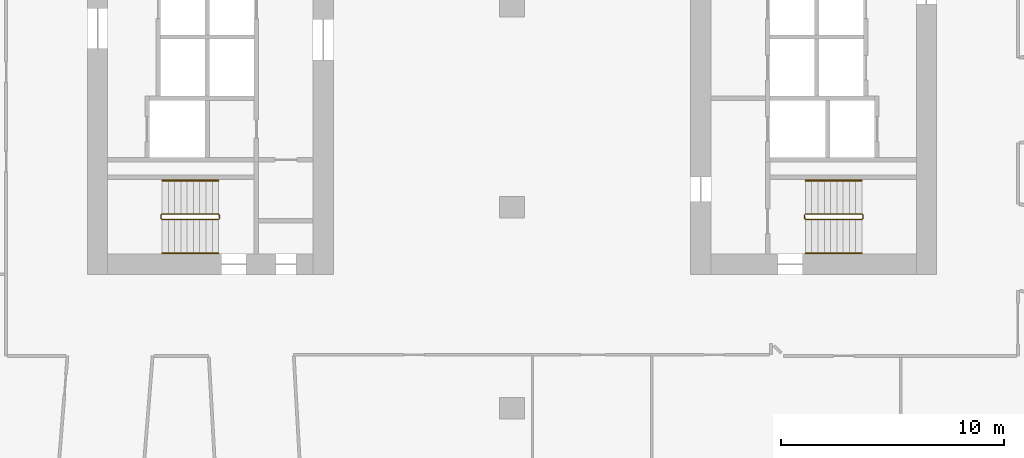
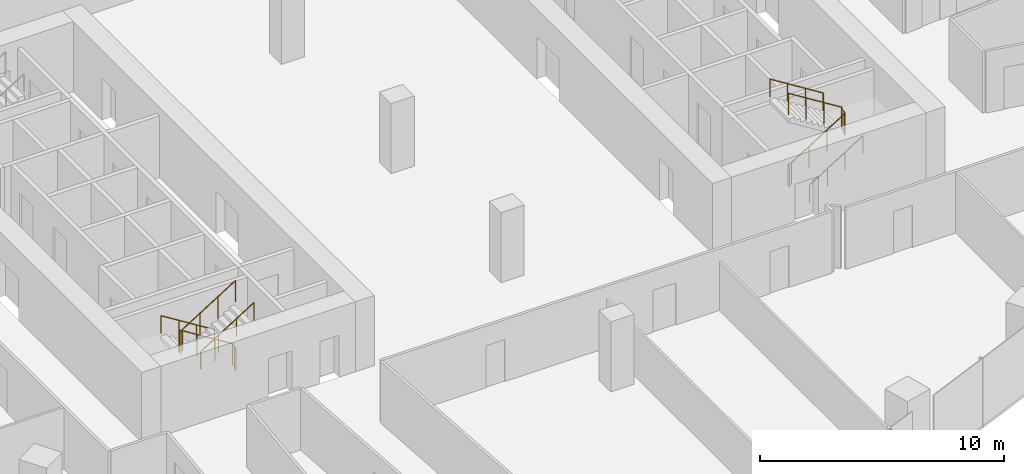
# One storey, part 33 of 35: 6 railings.
"""IFC4 building model written with IfcOpenShell, lengths in metres."""

from ifc_helpers import new_model, si_unit, direction, frame, origin, origin_2d, place, context, subcontext, project, spatial, circle, extrude, material, type_object, element, save


model = new_model("IFC4")

# Units and contexts
model_context = context("Model", 3, precision=1e-05, world=origin(), true_north=direction((0.0, 1.0)))
body_context = subcontext(model_context, "Body", "Model", "MODEL_VIEW")
ifc_project = project(units=[si_unit("LENGTHUNIT", "METRE"), si_unit("AREAUNIT", "SQUARE_METRE"), si_unit("VOLUMEUNIT", "CUBIC_METRE"), si_unit("PLANEANGLEUNIT", "RADIAN"), si_unit("MASSUNIT", "GRAM", prefix="KILO")], contexts=[model_context])

# Site, building, storey
site_placement = place(None, origin())
site = spatial("IfcSite", under=ifc_project, at=site_placement, CompositionType="ELEMENT")
building_placement = place(site_placement, origin())
building = spatial("IfcBuilding", under=site, at=building_placement, Name="Orlundy Tower", CompositionType="ELEMENT")
storey_placement = place(building_placement, frame((0.0, 0.0, 116.199951171875)))
storey = spatial("IfcBuildingStorey", under=building, at=storey_placement, Name="L29", CompositionType="ELEMENT", Elevation=116.199951171875)

# Railings
ifc_material_1 = material(Name="Steel balustrade", Category="steel")
railing_type_1 = type_object("IfcRailingType", Name="Stair Guard 1100", PredefinedType="GUARDRAIL", material=ifc_material_1)
railing_1_placement = place(storey_placement, frame((-13.090087890625, -9.35009765625, 0.0)))
element("IfcRailing", 1, at=railing_1_placement, inside=storey, type_object=railing_type_1, Name="L29 ST-W2 stair guard 1", PredefinedType="GUARDRAIL", context=body_context, shape_type="SweptSolid", body=[
    extrude(circle(Radius=0.02392578125, at=origin_2d()), frame((0.0, 0.0, 1.076171875), z_axis=(0.0, -1.0, 0.0), x_axis=(1.0, 0.0, 0.0)), (0.0, 0.0, 1.0), 0.14990234375),
    extrude(circle(Radius=0.02392578125, at=origin_2d()), frame((0.0, -0.14990234375, 1.076171875), z_axis=(-0.18420542264, 0.739530593833, 0.647427882513), x_axis=(-0.970351222016, -0.241699205484, 0.0)), (0.0, 0.0, 1.0), 0.270263671875),
    extrude(circle(Radius=0.02392578125, at=origin_2d()), frame((-0.0498046875, 0.050048828125, 1.2509765625), z_axis=(-0.848007534815, 0.0, 0.529984170421), x_axis=(0.0, -1.0, 0.0)), (0.0, 0.0, 1.0), 2.9716796875),
    extrude(circle(Radius=0.02392578125, at=origin_2d()), frame((-2.56982421875, 0.050048828125, 2.826171875), z_axis=(-0.707106781187, -0.707106781187, 0.0), x_axis=(0.707106781187, -0.707106781187, 0.0)), (0.0, 0.0, 1.0), 0.07080078125),
    extrude(circle(Radius=0.02392578125, at=origin_2d()), frame((-2.619873046875, 0.0, 2.826171875), z_axis=(0.0, -1.0, 0.0), x_axis=(1.0, 0.0, 0.0)), (0.0, 0.0, 1.0), 0.14990234375),
    extrude(circle(Radius=0.02392578125, at=origin_2d()), frame((-2.619873046875, -0.14990234375, 2.826171875), z_axis=(0.265065253269, -0.265065253269, 0.927081885822), x_axis=(0.707106781187, 0.707106781187, 0.0)), (0.0, 0.0, 1.0), 0.188720703125),
    extrude(circle(Radius=0.02392578125, at=origin_2d()), frame((-2.56982421875, -0.199951171875, 3.0009765625), z_axis=(0.848007534815, 0.0, 0.529984170421), x_axis=(0.0, 1.0, 0.0)), (0.0, 0.0, 1.0), 2.9716796875),
    extrude(circle(Radius=0.02099609375, at=origin_2d()), origin(), (0.0, 0.0, 1.0), 1.052001953125),
    extrude(circle(Radius=0.02099609375, at=origin_2d()), frame((0.0, -0.14990234375, 0.0)), (0.0, 0.0, 1.0), 1.052001953125),
    extrude(circle(Radius=0.02099609375, at=origin_2d()), frame((-0.0498046875, 0.050048828125, 0.175048828125)), (0.0, 0.0, 1.0), 1.052001953125),
    extrude(circle(Radius=0.02099609375, at=origin_2d()), frame((-0.889892578125, 0.050048828125, 0.699951171875)), (0.0, 0.0, 1.0), 1.052001953125),
    extrude(circle(Radius=0.02099609375, at=origin_2d()), frame((-1.729736328125, 0.050048828125, 1.22509765625)), (0.0, 0.0, 1.0), 1.052001953125),
    extrude(circle(Radius=0.02099609375, at=origin_2d()), frame((-2.56982421875, 0.050048828125, 1.75)), (0.0, 0.0, 1.0), 1.052001953125),
    extrude(circle(Radius=0.02099609375, at=origin_2d()), frame((-2.619873046875, 0.0, 1.75)), (0.0, 0.0, 1.0), 1.052001953125),
    extrude(circle(Radius=0.02099609375, at=origin_2d()), frame((-2.619873046875, -0.14990234375, 1.75)), (0.0, 0.0, 1.0), 1.052001953125),
    extrude(circle(Radius=0.02099609375, at=origin_2d()), frame((-2.56982421875, -0.199951171875, 1.925048828125)), (0.0, 0.0, 1.0), 1.052001953125),
    extrude(circle(Radius=0.02099609375, at=origin_2d()), frame((-1.729736328125, -0.199951171875, 2.449951171875)), (0.0, 0.0, 1.0), 1.052001953125),
    extrude(circle(Radius=0.02099609375, at=origin_2d()), frame((-0.889892578125, -0.199951171875, 2.97509765625)), (0.0, 0.0, 1.0), 1.052001953125),
    extrude(circle(Radius=0.02099609375, at=origin_2d()), frame((-0.0498046875, -0.199951171875, 3.5)), (0.0, 0.0, 1.0), 1.052001953125),
])
railing_2_placement = place(storey_placement, frame((13.090087890625, -9.5, 0.0)))
element("IfcRailing", 2, at=railing_2_placement, inside=storey, type_object=railing_type_1, Name="L29 ST-E1 stair guard 1", PredefinedType="GUARDRAIL", context=body_context, shape_type="SweptSolid", body=[
    extrude(circle(Radius=0.02392578125, at=origin_2d()), frame((0.0, 0.0, 1.076171875), z_axis=(0.0, 1.0, 0.0), x_axis=(-1.0, 0.0, 0.0)), (0.0, 0.0, 1.0), 0.14990234375),
    extrude(circle(Radius=0.02392578125, at=origin_2d()), frame((0.0, 0.14990234375, 1.076171875), z_axis=(0.18420542264, -0.739530593833, 0.647427882513), x_axis=(0.970351222016, 0.241699205484, 0.0)), (0.0, 0.0, 1.0), 0.270263671875),
    extrude(circle(Radius=0.02392578125, at=origin_2d()), frame((0.0498046875, -0.050048828125, 1.2509765625), z_axis=(0.848007534815, 0.0, 0.529984170421), x_axis=(0.0, 1.0, 0.0)), (0.0, 0.0, 1.0), 2.9716796875),
    extrude(circle(Radius=0.02392578125, at=origin_2d()), frame((2.56982421875, -0.050048828125, 2.826171875), z_axis=(0.707106781187, 0.707106781187, 0.0), x_axis=(-0.707106781187, 0.707106781187, 0.0)), (0.0, 0.0, 1.0), 0.07080078125),
    extrude(circle(Radius=0.02392578125, at=origin_2d()), frame((2.619873046875, 0.0, 2.826171875), z_axis=(0.0, 1.0, 0.0), x_axis=(-1.0, 0.0, 0.0)), (0.0, 0.0, 1.0), 0.14990234375),
    extrude(circle(Radius=0.02392578125, at=origin_2d()), frame((2.619873046875, 0.14990234375, 2.826171875), z_axis=(-0.265065253269, 0.265065253269, 0.927081885822), x_axis=(-0.707106781187, -0.707106781187, 0.0)), (0.0, 0.0, 1.0), 0.188720703125),
    extrude(circle(Radius=0.02392578125, at=origin_2d()), frame((2.56982421875, 0.199951171875, 3.0009765625), z_axis=(-0.848007534815, 0.0, 0.529984170421), x_axis=(0.0, -1.0, 0.0)), (0.0, 0.0, 1.0), 2.9716796875),
    extrude(circle(Radius=0.02099609375, at=origin_2d()), origin(), (0.0, 0.0, 1.0), 1.052001953125),
    extrude(circle(Radius=0.02099609375, at=origin_2d()), frame((0.0, 0.14990234375, 0.0)), (0.0, 0.0, 1.0), 1.052001953125),
    extrude(circle(Radius=0.02099609375, at=origin_2d()), frame((0.0498046875, -0.050048828125, 0.175048828125)), (0.0, 0.0, 1.0), 1.052001953125),
    extrude(circle(Radius=0.02099609375, at=origin_2d()), frame((0.889892578125, -0.050048828125, 0.699951171875)), (0.0, 0.0, 1.0), 1.052001953125),
    extrude(circle(Radius=0.02099609375, at=origin_2d()), frame((1.729736328125, -0.050048828125, 1.22509765625)), (0.0, 0.0, 1.0), 1.052001953125),
    extrude(circle(Radius=0.02099609375, at=origin_2d()), frame((2.56982421875, -0.050048828125, 1.75)), (0.0, 0.0, 1.0), 1.052001953125),
    extrude(circle(Radius=0.02099609375, at=origin_2d()), frame((2.619873046875, 0.0, 1.75)), (0.0, 0.0, 1.0), 1.052001953125),
    extrude(circle(Radius=0.02099609375, at=origin_2d()), frame((2.619873046875, 0.14990234375, 1.75)), (0.0, 0.0, 1.0), 1.052001953125),
    extrude(circle(Radius=0.02099609375, at=origin_2d()), frame((2.56982421875, 0.199951171875, 1.925048828125)), (0.0, 0.0, 1.0), 1.052001953125),
    extrude(circle(Radius=0.02099609375, at=origin_2d()), frame((1.729736328125, 0.199951171875, 2.449951171875)), (0.0, 0.0, 1.0), 1.052001953125),
    extrude(circle(Radius=0.02099609375, at=origin_2d()), frame((0.889892578125, 0.199951171875, 2.97509765625)), (0.0, 0.0, 1.0), 1.052001953125),
    extrude(circle(Radius=0.02099609375, at=origin_2d()), frame((0.0498046875, 0.199951171875, 3.5)), (0.0, 0.0, 1.0), 1.052001953125),
])
ifc_material_2 = material(Name="Steel handrail", Category="steel")
railing_type_2 = type_object("IfcRailingType", Name="Stair Handrail 900", PredefinedType="HANDRAIL", material=ifc_material_2)
railing_3_placement = place(storey_placement, frame((-13.139892578125, -7.800048828125, 0.175048828125)))
element("IfcRailing", 3, at=railing_3_placement, inside=storey, type_object=railing_type_2, Name="L29 ST-W2 stair handrail 1", PredefinedType="HANDRAIL", context=body_context, shape_type="SweptSolid", body=[
    extrude(circle(Radius=0.02392578125, at=origin_2d()), frame((0.0, 0.0, 0.8759765625), z_axis=(-0.848007534815, 0.0, 0.529984170421), x_axis=(0.0, -1.0, 0.0)), (0.0, 0.0, 1.0), 2.9716796875),
    extrude(circle(Radius=0.02099609375, at=origin_2d()), origin(), (0.0, 0.0, 1.0), 0.851806640625),
    extrude(circle(Radius=0.02099609375, at=origin_2d()), frame((-0.840087890625, 0.0, 0.52490234375)), (0.0, 0.0, 1.0), 0.851806640625),
    extrude(circle(Radius=0.02099609375, at=origin_2d()), frame((-1.679931640625, 0.0, 1.050048828125)), (0.0, 0.0, 1.0), 0.851806640625),
    extrude(circle(Radius=0.02099609375, at=origin_2d()), frame((-2.52001953125, 0.0, 1.574951171875)), (0.0, 0.0, 1.0), 0.851806640625),
])
for number, where, name in (
    (4, (-15.659912109375, -11.050048828125, 1.925048828125), "L29 ST-W2 stair handrail 2"),
    (5, (13.139892578125, -11.050048828125, 0.175048828125), "L29 ST-E1 stair handrail 1"),
):
    element("IfcRailing", number, at=place(storey_placement, frame(where)), inside=storey, type_object=railing_type_2, Name=name, PredefinedType="HANDRAIL", context=body_context, shape_type="SweptSolid", body=[
        extrude(circle(Radius=0.02392578125, at=origin_2d()), frame((0.0, 0.0, 0.8759765625), z_axis=(0.848007534815, 0.0, 0.529984170421), x_axis=(0.0, 1.0, 0.0)), (0.0, 0.0, 1.0), 2.9716796875),
        extrude(circle(Radius=0.02099609375, at=origin_2d()), origin(), (0.0, 0.0, 1.0), 0.851806640625),
        extrude(circle(Radius=0.02099609375, at=origin_2d()), frame((0.840087890625, 0.0, 0.52490234375)), (0.0, 0.0, 1.0), 0.851806640625),
        extrude(circle(Radius=0.02099609375, at=origin_2d()), frame((1.679931640625, 0.0, 1.050048828125)), (0.0, 0.0, 1.0), 0.851806640625),
        extrude(circle(Radius=0.02099609375, at=origin_2d()), frame((2.52001953125, 0.0, 1.574951171875)), (0.0, 0.0, 1.0), 0.851806640625),
    ])
railing_4_placement = place(storey_placement, frame((15.659912109375, -7.800048828125, 1.925048828125)))
element("IfcRailing", 6, at=railing_4_placement, inside=storey, type_object=railing_type_2, Name="L29 ST-E1 stair handrail 2", PredefinedType="HANDRAIL", context=body_context, shape_type="SweptSolid", body=[
    extrude(circle(Radius=0.02392578125, at=origin_2d()), frame((0.0, 0.0, 0.8759765625), z_axis=(-0.848007534815, 0.0, 0.529984170421), x_axis=(0.0, -1.0, 0.0)), (0.0, 0.0, 1.0), 2.9716796875),
    extrude(circle(Radius=0.02099609375, at=origin_2d()), origin(), (0.0, 0.0, 1.0), 0.851806640625),
    extrude(circle(Radius=0.02099609375, at=origin_2d()), frame((-0.840087890625, 0.0, 0.52490234375)), (0.0, 0.0, 1.0), 0.851806640625),
    extrude(circle(Radius=0.02099609375, at=origin_2d()), frame((-1.679931640625, 0.0, 1.050048828125)), (0.0, 0.0, 1.0), 0.851806640625),
    extrude(circle(Radius=0.02099609375, at=origin_2d()), frame((-2.52001953125, 0.0, 1.574951171875)), (0.0, 0.0, 1.0), 0.851806640625),
])

save(model, "model.ifc")
